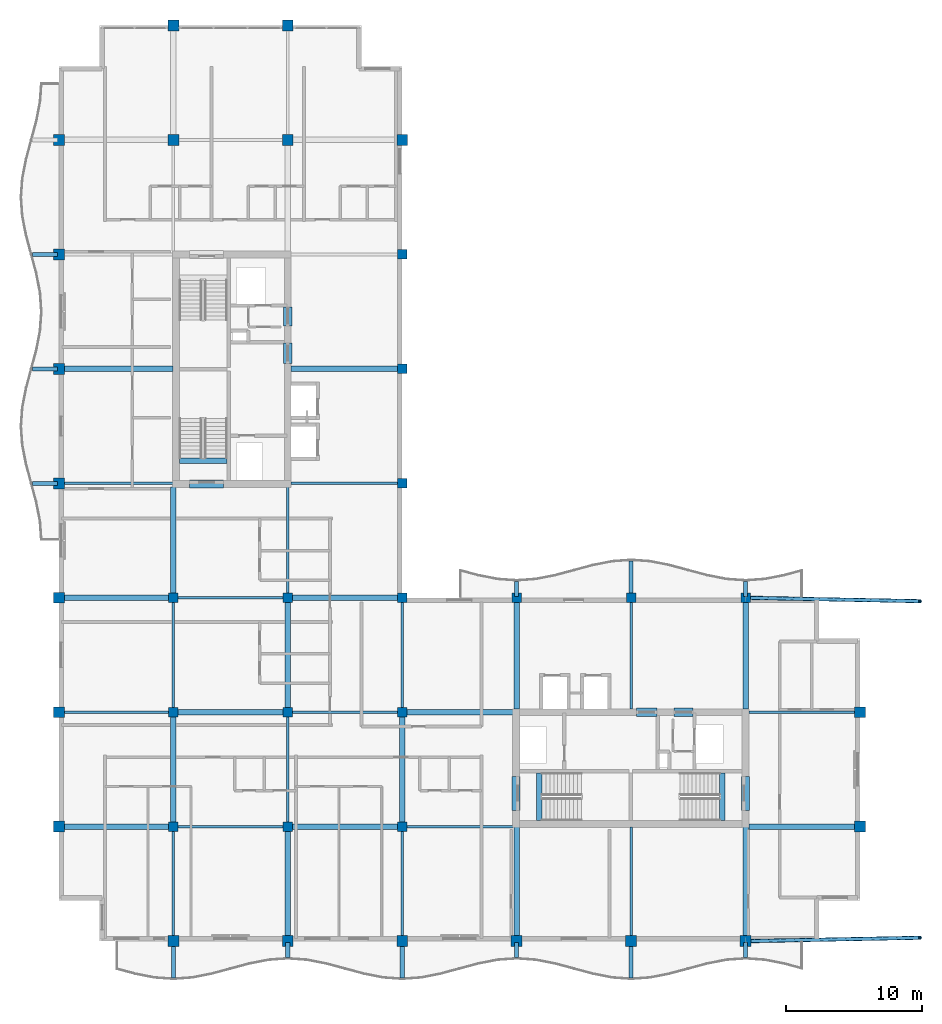
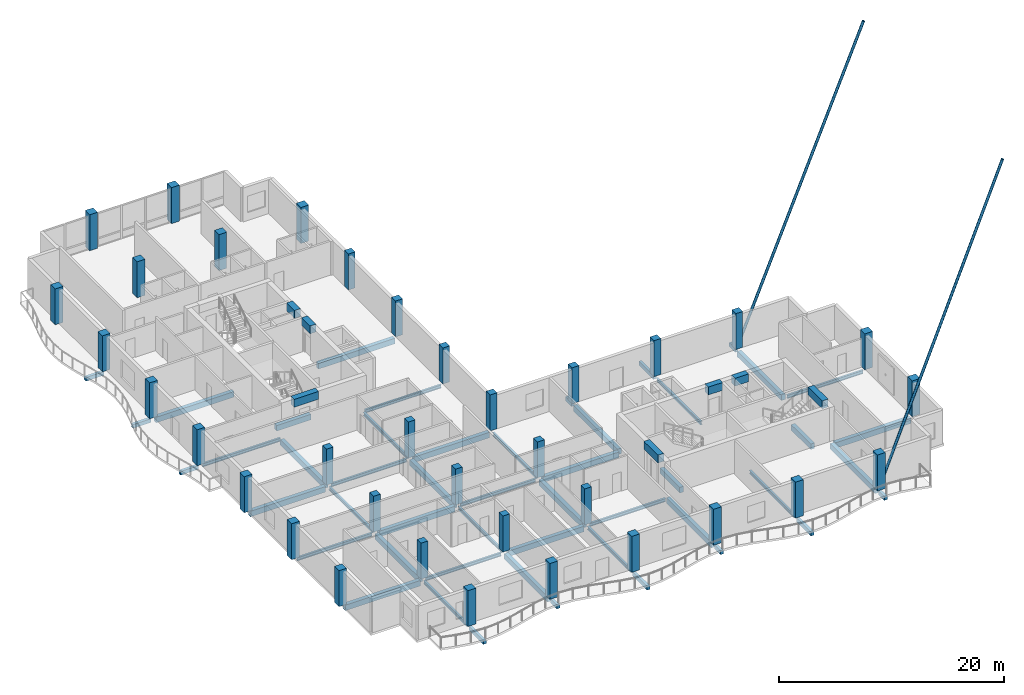
# One storey, part 1 of 17: 56 beams, 35 columns, 2 members.
"""IFC4 building model written with IfcOpenShell, lengths in metres."""

from ifc_helpers import new_model, si_unit, direction, frame, origin, origin_2d, place, context, subcontext, project, spatial, rectangle, hollow_circle, i_section, extrude, material, material_profile, profile_set, type_object, element, save


model = new_model("IFC4")

# Units and contexts
model_context = context("Model", 3, precision=1e-05, world=origin(), true_north=direction((0.0, 1.0)))
body_context = subcontext(model_context, "Body", "Model", "MODEL_VIEW")
ifc_project = project(units=[si_unit("LENGTHUNIT", "METRE"), si_unit("AREAUNIT", "SQUARE_METRE"), si_unit("VOLUMEUNIT", "CUBIC_METRE"), si_unit("PLANEANGLEUNIT", "RADIAN"), si_unit("MASSUNIT", "GRAM", prefix="KILO")], contexts=[model_context])

# Site, building, storey
site_placement = place(None, origin())
site = spatial("IfcSite", under=ifc_project, at=site_placement, CompositionType="ELEMENT")
building_placement = place(site_placement, origin())
building = spatial("IfcBuilding", under=site, at=building_placement, Name="Koriwani Terraces Tower", CompositionType="ELEMENT")
storey_placement = place(building_placement, frame((0.0, 0.0, 332.0)))
storey = spatial("IfcBuildingStorey", under=building, at=storey_placement, Name="L82", CompositionType="ELEMENT", Elevation=332.0)

# Columns
ifc_material_1 = material(Name="Concrete C50/60", Category="concrete")
ifc_material_profile_1 = material_profile(ifc_material_1, rectangle(XDim=0.699951171875, YDim=0.699951171875, at=origin_2d()), Name="Concrete C50/60", Category="LoadBearing")
ifc_profile_set_1 = profile_set([ifc_material_profile_1], Name="Concrete C50/60")
column_type_1 = type_object("IfcColumnType", Name="COL_RC_700X700", PredefinedType="COLUMN", material=ifc_profile_set_1)
for number, where, z_axis, x_axis, name in (
    (1, (16.800048828125, 16.800048828125, 0.0), (0.0, 0.0, 1.0), (1.0, 0.0, 0.0), "L82 Column 3/C"),
    (2, (16.800048828125, 25.199951171875, 0.0), (0.0, 0.0, 1.0), (1.0, 0.0, 0.0), "L82 Column 3/D"),
    (3, (16.800048828125, 33.60009765625, 0.0), (0.0, 0.0, 1.0), (1.0, 0.0, 0.0), "L82 Column 3/E"),
    (4, (25.199951171875, 16.800048828125, 0.0), (0.0, 0.0, 1.0), (1.0, 0.0, 0.0), "L82 Column 4/C"),
    (5, (25.199951171875, 25.199951171875, 0.0), (0.0, 0.0, 1.0), (1.0, 0.0, 0.0), "L82 Column 4/D"),
    (6, (25.199951171875, 33.60009765625, 0.0), (0.0, 0.0, 1.0), (1.0, 0.0, 0.0), "L82 Column 4/E"),
    (7, (33.60009765625, 16.800048828125, 0.0), (0.0, 0.0, 1.0), (1.0, 0.0, 0.0), "L82 Column 5/C"),
    (8, (33.60009765625, 25.199951171875, 0.0), (0.0, 0.0, 1.0), (1.0, 0.0, 0.0), "L82 Column 5/D"),
    (9, (33.60009765625, 33.60009765625, 0.0), (0.0, 0.0, 1.0), (1.0, 0.0, 0.0), "L82 Column 5/E"),
    (10, (33.60009765625, 42.0, 0.0), (0.0, 0.0, 1.0), (1.0, 0.0, 0.0), "L82 Column 5/F"),
    (11, (33.60009765625, 50.39990234375, 0.0), (0.0, 0.0, 1.0), (1.0, 0.0, 0.0), "L82 Column 5/G"),
    (12, (33.60009765625, 58.800048828125, 0.0), (0.0, 0.0, 1.0), (1.0, 0.0, 0.0), "L82 Column 5/H"),
    (13, (42.0, 33.60009765625, 0.0), (0.0, 0.0, 1.0), (1.0, 0.0, 0.0), "L82 Column 6/E"),
    (14, (50.39990234375, 33.60009765625, 0.0), (0.0, 0.0, 1.0), (1.0, 0.0, 0.0), "L82 Column 7/E"),
    (15, (58.800048828125, 33.60009765625, 0.0), (0.0, 0.0, 1.0), (1.0, 0.0, 0.0), "L82 Column 8/E"),
):
    element("IfcColumn", number, at=place(storey_placement, frame(where, z_axis=z_axis, x_axis=x_axis)), inside=storey, type_object=column_type_1, Name=name, PredefinedType="COLUMN", context=body_context, shape_type="SweptSolid", body=[
        extrude(rectangle(XDim=0.699951171875, YDim=0.699951171875, at=origin_2d()), origin(), (0.0, 0.0, 1.0), 3.89990234375),
    ])
ifc_material_profile_2 = material_profile(ifc_material_1, rectangle(XDim=0.800048828125, YDim=0.800048828125, at=origin_2d()), Name="Concrete C50/60", Category="LoadBearing")
ifc_profile_set_2 = profile_set([ifc_material_profile_2], Name="Concrete C50/60")
column_type_2 = type_object("IfcColumnType", Name="COL_RC_800X800", PredefinedType="COLUMN", material=ifc_profile_set_2)
for number, where, z_axis, x_axis, name in (
    (16, (8.39990234375, 16.800048828125, 0.0), (0.0, 0.0, 1.0), (1.0, 0.0, 0.0), "L82 Column 2/C"),
    (17, (8.39990234375, 25.199951171875, 0.0), (0.0, 0.0, 1.0), (1.0, 0.0, 0.0), "L82 Column 2/D"),
    (18, (8.39990234375, 33.60009765625, 0.0), (0.0, 0.0, 1.0), (1.0, 0.0, 0.0), "L82 Column 2/E"),
    (19, (8.39990234375, 42.0, 0.0), (0.0, 0.0, 1.0), (1.0, 0.0, 0.0), "L82 Column 2/F"),
    (20, (8.39990234375, 50.39990234375, 0.0), (0.0, 0.0, 1.0), (1.0, 0.0, 0.0), "L82 Column 2/G"),
    (21, (8.39990234375, 58.800048828125, 0.0), (0.0, 0.0, 1.0), (1.0, 0.0, 0.0), "L82 Column 2/H"),
    (22, (8.39990234375, 67.199951171875, 0.0), (0.0, 0.0, 1.0), (1.0, 0.0, 0.0), "L82 Column 2/I"),
    (23, (16.800048828125, 8.39990234375, 0.0), (0.0, 0.0, 1.0), (1.0, 0.0, 0.0), "L82 Column 3/B"),
    (24, (16.800048828125, 67.199951171875, 0.0), (0.0, 0.0, 1.0), (1.0, 0.0, 0.0), "L82 Column 3/I"),
    (25, (16.800048828125, 75.60009765625, 0.0), (0.0, 0.0, 1.0), (1.0, 0.0, 0.0), "L82 Column 3/J"),
    (26, (25.199951171875, 8.39990234375, 0.0), (0.0, 0.0, 1.0), (1.0, 0.0, 0.0), "L82 Column 4/B"),
    (27, (25.199951171875, 67.199951171875, 0.0), (0.0, 0.0, 1.0), (1.0, 0.0, 0.0), "L82 Column 4/I"),
    (28, (25.199951171875, 75.60009765625, 0.0), (0.0, 0.0, 1.0), (1.0, 0.0, 0.0), "L82 Column 4/J"),
    (29, (33.60009765625, 8.39990234375, 0.0), (0.0, 0.0, 1.0), (1.0, 0.0, 0.0), "L82 Column 5/B"),
    (30, (33.60009765625, 67.199951171875, 0.0), (0.0, 0.0, 1.0), (1.0, 0.0, 0.0), "L82 Column 5/I"),
    (31, (42.0, 8.39990234375, 0.0), (0.0, 0.0, 1.0), (1.0, 0.0, 0.0), "L82 Column 6/B"),
    (32, (50.39990234375, 8.39990234375, 0.0), (0.0, 0.0, 1.0), (1.0, 0.0, 0.0), "L82 Column 7/B"),
    (33, (58.800048828125, 8.39990234375, 0.0), (0.0, 0.0, 1.0), (1.0, 0.0, 0.0), "L82 Column 8/B"),
    (34, (67.199951171875, 16.800048828125, 0.0), (0.0, 0.0, 1.0), (1.0, 0.0, 0.0), "L82 Column 9/C"),
    (35, (67.199951171875, 25.199951171875, 0.0), (0.0, 0.0, 1.0), (1.0, 0.0, 0.0), "L82 Column 9/D"),
):
    element("IfcColumn", number, at=place(storey_placement, frame(where, z_axis=z_axis, x_axis=x_axis)), inside=storey, type_object=column_type_2, Name=name, PredefinedType="COLUMN", context=body_context, shape_type="SweptSolid", body=[
        extrude(rectangle(XDim=0.800048828125, YDim=0.800048828125, at=origin_2d()), origin(), (0.0, 0.0, 1.0), 3.89990234375),
    ])

# Beams
ifc_material_2 = material(Name="Concrete C40/50", Category="concrete")
ifc_material_profile_3 = material_profile(ifc_material_2, rectangle(XDim=0.300048828125, YDim=0.39990234375, at=origin_2d()), Name="Concrete C40/50", Category="LoadBearing")
ifc_profile_set_3 = profile_set([ifc_material_profile_3], Name="Concrete C40/50")
beam_type_1 = type_object("IfcBeamType", Name="BEAM_RC_BALCONY_RIB_300X400", PredefinedType="JOIST", material=ifc_profile_set_3)
beam_1_placement = place(storey_placement, frame((16.800048828125, 5.699951171875, -0.429931640625), z_axis=(0.0, 1.0, 0.0), x_axis=(-1.0, 0.0, 0.0)))
element("IfcBeam", 36, at=beam_1_placement, inside=storey, type_object=beam_type_1, Name="L82 Balcony Bracket Rib S-1", PredefinedType="JOIST", context=body_context, shape_type="SweptSolid", body=[
    extrude(rectangle(XDim=0.300048828125, YDim=0.39990234375, at=origin_2d()), origin(), (0.0, 0.0, 1.0), 2.60009765625),
])
beam_2_placement = place(storey_placement, frame((25.199951171875, 7.199951171875, -0.429931640625), z_axis=(0.0, 1.0, 0.0), x_axis=(-1.0, 0.0, 0.0)))
element("IfcBeam", 37, at=beam_2_placement, inside=storey, type_object=beam_type_1, Name="L82 Balcony Bracket Rib S-2", PredefinedType="JOIST", context=body_context, shape_type="SweptSolid", body=[
    extrude(rectangle(XDim=0.300048828125, YDim=0.39990234375, at=origin_2d()), origin(), (0.0, 0.0, 1.0), 1.10009765625),
])
beam_3_placement = place(storey_placement, frame((33.60009765625, 5.699951171875, -0.429931640625), z_axis=(0.0, 1.0, 0.0), x_axis=(-1.0, 0.0, 0.0)))
element("IfcBeam", 38, at=beam_3_placement, inside=storey, type_object=beam_type_1, Name="L82 Balcony Bracket Rib S-3", PredefinedType="JOIST", context=body_context, shape_type="SweptSolid", body=[
    extrude(rectangle(XDim=0.300048828125, YDim=0.39990234375, at=origin_2d()), origin(), (0.0, 0.0, 1.0), 2.60009765625),
])
beam_4_placement = place(storey_placement, frame((42.0, 7.199951171875, -0.429931640625), z_axis=(0.0, 1.0, 0.0), x_axis=(-1.0, 0.0, 0.0)))
element("IfcBeam", 39, at=beam_4_placement, inside=storey, type_object=beam_type_1, Name="L82 Balcony Bracket Rib S-4", PredefinedType="JOIST", context=body_context, shape_type="SweptSolid", body=[
    extrude(rectangle(XDim=0.300048828125, YDim=0.39990234375, at=origin_2d()), origin(), (0.0, 0.0, 1.0), 1.10009765625),
])
beam_5_placement = place(storey_placement, frame((50.39990234375, 5.699951171875, -0.429931640625), z_axis=(0.0, 1.0, 0.0), x_axis=(-1.0, 0.0, 0.0)))
element("IfcBeam", 40, at=beam_5_placement, inside=storey, type_object=beam_type_1, Name="L82 Balcony Bracket Rib S-5", PredefinedType="JOIST", context=body_context, shape_type="SweptSolid", body=[
    extrude(rectangle(XDim=0.300048828125, YDim=0.39990234375, at=origin_2d()), origin(), (0.0, 0.0, 1.0), 2.60009765625),
])
beam_6_placement = place(storey_placement, frame((58.800048828125, 7.199951171875, -0.429931640625), z_axis=(0.0, 1.0, 0.0), x_axis=(-1.0, 0.0, 0.0)))
element("IfcBeam", 41, at=beam_6_placement, inside=storey, type_object=beam_type_1, Name="L82 Balcony Bracket Rib S-6", PredefinedType="JOIST", context=body_context, shape_type="SweptSolid", body=[
    extrude(rectangle(XDim=0.300048828125, YDim=0.39990234375, at=origin_2d()), origin(), (0.0, 0.0, 1.0), 1.10009765625),
])
for number, where, z_axis, x_axis, name in (
    (42, (6.449951171875, 42.0, -0.429931640625), (1.0, 0.0, 0.0), (0.0, 1.0, 0.0), "L82 Balcony Bracket Rib W-1"),
    (43, (6.449951171875, 50.39990234375, -0.429931640625), (1.0, 0.0, 0.0), (0.0, 1.0, 0.0), "L82 Balcony Bracket Rib W-2"),
    (44, (6.449951171875, 58.800048828125, -0.429931640625), (1.0, 0.0, 0.0), (0.0, 1.0, 0.0), "L82 Balcony Bracket Rib W-3"),
):
    element("IfcBeam", number, at=place(storey_placement, frame(where, z_axis=z_axis, x_axis=x_axis)), inside=storey, type_object=beam_type_1, Name=name, PredefinedType="JOIST", context=body_context, shape_type="SweptSolid", body=[
        extrude(rectangle(XDim=0.300048828125, YDim=0.39990234375, at=origin_2d()), origin(), (0.0, 0.0, 1.0), 1.85009765625),
    ])
beam_7_placement = place(storey_placement, frame((42.0, 33.699951171875, -0.429931640625), z_axis=(0.0, 1.0, 0.0), x_axis=(-1.0, 0.0, 0.0)))
element("IfcBeam", 45, at=beam_7_placement, inside=storey, type_object=beam_type_1, Name="L82 Balcony Bracket Rib NE-1", PredefinedType="JOIST", context=body_context, shape_type="SweptSolid", body=[
    extrude(rectangle(XDim=0.300048828125, YDim=0.39990234375, at=origin_2d()), origin(), (0.0, 0.0, 1.0), 1.10009765625),
])
beam_8_placement = place(storey_placement, frame((50.39990234375, 33.699951171875, -0.429931640625), z_axis=(0.0, 1.0, 0.0), x_axis=(-1.0, 0.0, 0.0)))
element("IfcBeam", 46, at=beam_8_placement, inside=storey, type_object=beam_type_1, Name="L82 Balcony Bracket Rib NE-2", PredefinedType="JOIST", context=body_context, shape_type="SweptSolid", body=[
    extrude(rectangle(XDim=0.300048828125, YDim=0.39990234375, at=origin_2d()), origin(), (0.0, 0.0, 1.0), 2.60009765625),
])
beam_9_placement = place(storey_placement, frame((58.800048828125, 33.699951171875, -0.429931640625), z_axis=(0.0, 1.0, 0.0), x_axis=(-1.0, 0.0, 0.0)))
element("IfcBeam", 47, at=beam_9_placement, inside=storey, type_object=beam_type_1, Name="L82 Balcony Bracket Rib NE-3", PredefinedType="JOIST", context=body_context, shape_type="SweptSolid", body=[
    extrude(rectangle(XDim=0.300048828125, YDim=0.39990234375, at=origin_2d()), origin(), (0.0, 0.0, 1.0), 1.10009765625),
])
ifc_material_profile_4 = material_profile(ifc_material_1, rectangle(XDim=0.60009765625, YDim=0.85009765625, at=origin_2d()), Name="Concrete C50/60", Category="LoadBearing")
ifc_profile_set_4 = profile_set([ifc_material_profile_4], Name="Concrete C50/60")
beam_type_2 = type_object("IfcBeamType", Name="BEAM_RC_COUPLING_600X850", PredefinedType="LINTEL", material=ifc_profile_set_4)
beam_10_placement = place(storey_placement, frame((25.199951171875, 50.800048828125, 3.2451171875), z_axis=(0.0, 1.0, 0.0), x_axis=(-1.0, 0.0, 0.0)))
element("IfcBeam", 48, at=beam_10_placement, inside=storey, type_object=beam_type_2, Name="L82 Core Coupling Lintel Beam WE1", PredefinedType="LINTEL", context=body_context, shape_type="SweptSolid", body=[
    extrude(rectangle(XDim=0.60009765625, YDim=0.85009765625, at=origin_2d()), origin(), (0.0, 0.0, 1.0), 1.47998046875),
])
beam_11_placement = place(storey_placement, frame((25.199951171875, 53.550048828125, 3.2451171875), z_axis=(0.0, 1.0, 0.0), x_axis=(-1.0, 0.0, 0.0)))
element("IfcBeam", 49, at=beam_11_placement, inside=storey, type_object=beam_type_2, Name="L82 Core Coupling Lintel Beam WE2", PredefinedType="LINTEL", context=body_context, shape_type="SweptSolid", body=[
    extrude(rectangle(XDim=0.60009765625, YDim=0.85009765625, at=origin_2d()), origin(), (0.0, 0.0, 1.0), 1.39990234375),
])
beam_12_placement = place(storey_placement, frame((18.0, 41.949951171875, 3.2451171875), z_axis=(1.0, 0.0, 0.0), x_axis=(0.0, 1.0, 0.0)))
element("IfcBeam", 50, at=beam_12_placement, inside=storey, type_object=beam_type_2, Name="L82 Core Coupling Lintel Beam WS", PredefinedType="LINTEL", context=body_context, shape_type="SweptSolid", body=[
    extrude(rectangle(XDim=0.60009765625, YDim=0.85009765625, at=origin_2d()), origin(), (0.0, 0.0, 1.0), 2.5),
])
beam_13_placement = place(storey_placement, frame((50.800048828125, 25.199951171875, 3.2451171875), z_axis=(1.0, 0.0, 0.0), x_axis=(0.0, 1.0, 0.0)))
element("IfcBeam", 51, at=beam_13_placement, inside=storey, type_object=beam_type_2, Name="L82 Core Coupling Lintel Beam EN1", PredefinedType="LINTEL", context=body_context, shape_type="SweptSolid", body=[
    extrude(rectangle(XDim=0.60009765625, YDim=0.85009765625, at=origin_2d()), origin(), (0.0, 0.0, 1.0), 1.47998046875),
])
beam_14_placement = place(storey_placement, frame((53.550048828125, 25.199951171875, 3.2451171875), z_axis=(1.0, 0.0, 0.0), x_axis=(0.0, 1.0, 0.0)))
element("IfcBeam", 52, at=beam_14_placement, inside=storey, type_object=beam_type_2, Name="L82 Core Coupling Lintel Beam EN2", PredefinedType="LINTEL", context=body_context, shape_type="SweptSolid", body=[
    extrude(rectangle(XDim=0.60009765625, YDim=0.85009765625, at=origin_2d()), origin(), (0.0, 0.0, 1.0), 1.39990234375),
])
for number, where, z_axis, x_axis, name in (
    (53, (41.949951171875, 18.0, 3.2451171875), (0.0, 1.0, 0.0), (-1.0, 0.0, 0.0), "L82 Core Coupling Lintel Beam EW"),
    (54, (58.800048828125, 18.0, 3.2451171875), (0.0, 1.0, 0.0), (-1.0, 0.0, 0.0), "L82 Core Coupling Lintel Beam EE"),
):
    element("IfcBeam", number, at=place(storey_placement, frame(where, z_axis=z_axis, x_axis=x_axis)), inside=storey, type_object=beam_type_2, Name=name, PredefinedType="LINTEL", context=body_context, shape_type="SweptSolid", body=[
        extrude(rectangle(XDim=0.60009765625, YDim=0.85009765625, at=origin_2d()), origin(), (0.0, 0.0, 1.0), 2.5),
    ])
ifc_material_profile_5 = material_profile(ifc_material_2, rectangle(XDim=0.39990234375, YDim=0.60009765625, at=origin_2d()), Name="Concrete C40/50", Category="LoadBearing")
ifc_profile_set_5 = profile_set([ifc_material_profile_5], Name="Concrete C40/50")
beam_type_3 = type_object("IfcBeamType", Name="BEAM_RC_GRID_400X600", PredefinedType="BEAM", material=ifc_profile_set_5)
for number, where, z_axis, x_axis, name in (
    (55, (17.25, 43.655029296875, -0.300048828125), (1.0, 0.0, 0.0), (0.0, 1.0, 0.0), "L82 Stairwell Header Trimmer Beam ST-W1"),
    (56, (43.655029296875, 17.25, -0.300048828125), (0.0, 1.0, 0.0), (-1.0, 0.0, 0.0), "L82 Stairwell Header Trimmer Beam ST-E1"),
    (57, (57.094970703125, 17.25, -0.300048828125), (0.0, 1.0, 0.0), (-1.0, 0.0, 0.0), "L82 Stairwell Header Trimmer Beam ST-E2"),
):
    element("IfcBeam", number, at=place(storey_placement, frame(where, z_axis=z_axis, x_axis=x_axis)), inside=storey, type_object=beam_type_3, Name=name, PredefinedType="BEAM", context=body_context, shape_type="SweptSolid", body=[
        extrude(rectangle(XDim=0.39990234375, YDim=0.60009765625, at=origin_2d()), origin(), (0.0, 0.0, 1.0), 3.5),
    ])
beam_15_placement = place(storey_placement, frame((8.780029296875, 16.800048828125, -0.530029296875), z_axis=(1.0, 0.0, 0.0), x_axis=(0.0, 1.0, 0.0)))
element("IfcBeam", 58, at=beam_15_placement, inside=storey, type_object=beam_type_3, Name="L82 Grid Beam C (8.4-16.8m)", PredefinedType="BEAM", context=body_context, shape_type="SweptSolid", body=[
    extrude(rectangle(XDim=0.39990234375, YDim=0.60009765625, at=origin_2d()), origin(), (0.0, 0.0, 1.0), 7.68994140625),
])
beam_16_placement = place(storey_placement, frame((25.530029296875, 16.800048828125, -0.530029296875), z_axis=(1.0, 0.0, 0.0), x_axis=(0.0, 1.0, 0.0)))
element("IfcBeam", 59, at=beam_16_placement, inside=storey, type_object=beam_type_3, Name="L82 Grid Beam C (25.2-33.6m)", PredefinedType="BEAM", context=body_context, shape_type="SweptSolid", body=[
    extrude(rectangle(XDim=0.39990234375, YDim=0.60009765625, at=origin_2d()), origin(), (0.0, 0.0, 1.0), 7.739990234375),
])
beam_17_placement = place(storey_placement, frame((59.030029296875, 16.800048828125, -0.530029296875), z_axis=(1.0, 0.0, 0.0), x_axis=(0.0, 1.0, 0.0)))
element("IfcBeam", 60, at=beam_17_placement, inside=storey, type_object=beam_type_3, Name="L82 Grid Beam C (58.8-67.2m)", PredefinedType="BEAM", context=body_context, shape_type="SweptSolid", body=[
    extrude(rectangle(XDim=0.39990234375, YDim=0.60009765625, at=origin_2d()), origin(), (0.0, 0.0, 1.0), 7.7900390625),
])
beam_18_placement = place(storey_placement, frame((17.1298828125, 25.199951171875, -0.530029296875), z_axis=(1.0, 0.0, 0.0), x_axis=(0.0, 1.0, 0.0)))
element("IfcBeam", 61, at=beam_18_placement, inside=storey, type_object=beam_type_3, Name="L82 Grid Beam D (16.8-25.2m)", PredefinedType="BEAM", context=body_context, shape_type="SweptSolid", body=[
    extrude(rectangle(XDim=0.39990234375, YDim=0.60009765625, at=origin_2d()), origin(), (0.0, 0.0, 1.0), 7.740234375),
])
beam_19_placement = place(storey_placement, frame((33.929931640625, 25.199951171875, -0.530029296875), z_axis=(1.0, 0.0, 0.0), x_axis=(0.0, 1.0, 0.0)))
element("IfcBeam", 62, at=beam_19_placement, inside=storey, type_object=beam_type_3, Name="L82 Grid Beam D (33.6-42.0m)", PredefinedType="BEAM", context=body_context, shape_type="SweptSolid", body=[
    extrude(rectangle(XDim=0.39990234375, YDim=0.60009765625, at=origin_2d()), origin(), (0.0, 0.0, 1.0), 7.7900390625),
])
beam_20_placement = place(storey_placement, frame((8.780029296875, 33.60009765625, -0.530029296875), z_axis=(1.0, 0.0, 0.0), x_axis=(0.0, 1.0, 0.0)))
element("IfcBeam", 63, at=beam_20_placement, inside=storey, type_object=beam_type_3, Name="L82 Grid Beam E (8.4-16.8m)", PredefinedType="BEAM", context=body_context, shape_type="SweptSolid", body=[
    extrude(rectangle(XDim=0.39990234375, YDim=0.60009765625, at=origin_2d()), origin(), (0.0, 0.0, 1.0), 7.68994140625),
])
beam_21_placement = place(storey_placement, frame((25.530029296875, 33.60009765625, -0.530029296875), z_axis=(1.0, 0.0, 0.0), x_axis=(0.0, 1.0, 0.0)))
element("IfcBeam", 64, at=beam_21_placement, inside=storey, type_object=beam_type_3, Name="L82 Grid Beam E (25.2-33.6m)", PredefinedType="BEAM", context=body_context, shape_type="SweptSolid", body=[
    extrude(rectangle(XDim=0.39990234375, YDim=0.60009765625, at=origin_2d()), origin(), (0.0, 0.0, 1.0), 7.739990234375),
])
beam_22_placement = place(storey_placement, frame((8.780029296875, 50.39990234375, -0.530029296875), z_axis=(1.0, 0.0, 0.0), x_axis=(0.0, 1.0, 0.0)))
element("IfcBeam", 65, at=beam_22_placement, inside=storey, type_object=beam_type_3, Name="L82 Grid Beam G (8.4-16.8m)", PredefinedType="BEAM", context=body_context, shape_type="SweptSolid", body=[
    extrude(rectangle(XDim=0.39990234375, YDim=0.60009765625, at=origin_2d()), origin(), (0.0, 0.0, 1.0), 7.989990234375),
])
beam_23_placement = place(storey_placement, frame((25.429931640625, 50.39990234375, -0.530029296875), z_axis=(1.0, 0.0, 0.0), x_axis=(0.0, 1.0, 0.0)))
element("IfcBeam", 66, at=beam_23_placement, inside=storey, type_object=beam_type_3, Name="L82 Grid Beam G (25.2-33.6m)", PredefinedType="BEAM", context=body_context, shape_type="SweptSolid", body=[
    extrude(rectangle(XDim=0.39990234375, YDim=0.60009765625, at=origin_2d()), origin(), (0.0, 0.0, 1.0), 7.840087890625),
])
beam_24_placement = place(storey_placement, frame((16.800048828125, 17.1298828125, -0.530029296875), z_axis=(0.0, 1.0, 0.0), x_axis=(-1.0, 0.0, 0.0)))
element("IfcBeam", 67, at=beam_24_placement, inside=storey, type_object=beam_type_3, Name="L82 Grid Beam 3 (16.8-25.2m)", PredefinedType="BEAM", context=body_context, shape_type="SweptSolid", body=[
    extrude(rectangle(XDim=0.39990234375, YDim=0.60009765625, at=origin_2d()), origin(), (0.0, 0.0, 1.0), 7.740234375),
])
beam_25_placement = place(storey_placement, frame((16.800048828125, 33.929931640625, -0.530029296875), z_axis=(0.0, 1.0, 0.0), x_axis=(-1.0, 0.0, 0.0)))
element("IfcBeam", 68, at=beam_25_placement, inside=storey, type_object=beam_type_3, Name="L82 Grid Beam 3 (33.6-42.0m)", PredefinedType="BEAM", context=body_context, shape_type="SweptSolid", body=[
    extrude(rectangle(XDim=0.39990234375, YDim=0.60009765625, at=origin_2d()), origin(), (0.0, 0.0, 1.0), 7.7900390625),
])
beam_26_placement = place(storey_placement, frame((25.199951171875, 8.780029296875, -0.530029296875), z_axis=(0.0, 1.0, 0.0), x_axis=(-1.0, 0.0, 0.0)))
element("IfcBeam", 69, at=beam_26_placement, inside=storey, type_object=beam_type_3, Name="L82 Grid Beam 4 (8.4-16.8m)", PredefinedType="BEAM", context=body_context, shape_type="SweptSolid", body=[
    extrude(rectangle(XDim=0.39990234375, YDim=0.60009765625, at=origin_2d()), origin(), (0.0, 0.0, 1.0), 7.68994140625),
])
beam_27_placement = place(storey_placement, frame((25.199951171875, 25.530029296875, -0.530029296875), z_axis=(0.0, 1.0, 0.0), x_axis=(-1.0, 0.0, 0.0)))
element("IfcBeam", 70, at=beam_27_placement, inside=storey, type_object=beam_type_3, Name="L82 Grid Beam 4 (25.2-33.6m)", PredefinedType="BEAM", context=body_context, shape_type="SweptSolid", body=[
    extrude(rectangle(XDim=0.39990234375, YDim=0.60009765625, at=origin_2d()), origin(), (0.0, 0.0, 1.0), 7.739990234375),
])
beam_28_placement = place(storey_placement, frame((33.60009765625, 17.1298828125, -0.530029296875), z_axis=(0.0, 1.0, 0.0), x_axis=(-1.0, 0.0, 0.0)))
element("IfcBeam", 71, at=beam_28_placement, inside=storey, type_object=beam_type_3, Name="L82 Grid Beam 5 (16.8-25.2m)", PredefinedType="BEAM", context=body_context, shape_type="SweptSolid", body=[
    extrude(rectangle(XDim=0.39990234375, YDim=0.60009765625, at=origin_2d()), origin(), (0.0, 0.0, 1.0), 7.740234375),
])
beam_29_placement = place(storey_placement, frame((42.0, 8.780029296875, -0.530029296875), z_axis=(0.0, 1.0, 0.0), x_axis=(-1.0, 0.0, 0.0)))
element("IfcBeam", 72, at=beam_29_placement, inside=storey, type_object=beam_type_3, Name="L82 Grid Beam 6 (8.4-16.8m)", PredefinedType="BEAM", context=body_context, shape_type="SweptSolid", body=[
    extrude(rectangle(XDim=0.39990234375, YDim=0.60009765625, at=origin_2d()), origin(), (0.0, 0.0, 1.0), 7.989990234375),
])
beam_30_placement = place(storey_placement, frame((42.0, 25.429931640625, -0.530029296875), z_axis=(0.0, 1.0, 0.0), x_axis=(-1.0, 0.0, 0.0)))
element("IfcBeam", 73, at=beam_30_placement, inside=storey, type_object=beam_type_3, Name="L82 Grid Beam 6 (25.2-33.6m)", PredefinedType="BEAM", context=body_context, shape_type="SweptSolid", body=[
    extrude(rectangle(XDim=0.39990234375, YDim=0.60009765625, at=origin_2d()), origin(), (0.0, 0.0, 1.0), 7.840087890625),
])
beam_31_placement = place(storey_placement, frame((58.800048828125, 8.780029296875, -0.530029296875), z_axis=(0.0, 1.0, 0.0), x_axis=(-1.0, 0.0, 0.0)))
element("IfcBeam", 74, at=beam_31_placement, inside=storey, type_object=beam_type_3, Name="L82 Grid Beam 8 (8.4-16.8m)", PredefinedType="BEAM", context=body_context, shape_type="SweptSolid", body=[
    extrude(rectangle(XDim=0.39990234375, YDim=0.60009765625, at=origin_2d()), origin(), (0.0, 0.0, 1.0), 7.989990234375),
])
beam_32_placement = place(storey_placement, frame((58.800048828125, 25.429931640625, -0.530029296875), z_axis=(0.0, 1.0, 0.0), x_axis=(-1.0, 0.0, 0.0)))
element("IfcBeam", 75, at=beam_32_placement, inside=storey, type_object=beam_type_3, Name="L82 Grid Beam 8 (25.2-33.6m)", PredefinedType="BEAM", context=body_context, shape_type="SweptSolid", body=[
    extrude(rectangle(XDim=0.39990234375, YDim=0.60009765625, at=origin_2d()), origin(), (0.0, 0.0, 1.0), 7.840087890625),
])

# Members
ifc_material_3 = material(Name="Steel ASTM A572 Grade 50", Category="steel")
ifc_material_profile_6 = material_profile(ifc_material_3, hollow_circle(Radius=0.136474609375, WallThickness=0.010009765625, at=origin_2d()), Name="Steel ASTM A572 Grade 50", Category="LoadBearing")
ifc_profile_set_6 = profile_set([ifc_material_profile_6], Name="Steel ASTM A572 Grade 50")
member_type = type_object("IfcMemberType", Name="CROWN_FRAME_BRACE_CHS273X10", PredefinedType="USERDEFINED", material=ifc_profile_set_6)
for number, where, z_axis, x_axis, name in (
    (76, (58.800048828125, 8.39990234375, 0.0), (0.381640049995, 0.007453878792, 0.924280970231), (-0.019527451312, 0.999809321143, 0.0), "Sky-Lounge Exterior Raking Mega-Strut RK-03"),
    (77, (58.800048828125, 33.60009765625, 0.0), (0.381640049995, -0.007453878792, 0.924280970231), (0.019527451312, 0.999809321143, 0.0), "Sky-Lounge Exterior Raking Mega-Strut RK-04"),
):
    element("IfcMember", number, at=place(storey_placement, frame(where, z_axis=z_axis, x_axis=x_axis)), inside=storey, type_object=member_type, Name=name, ObjectType="CROWN FRAME", PredefinedType="USERDEFINED", context=body_context, shape_type="SweptSolid", body=[
        extrude(hollow_circle(Radius=0.136474609375, WallThickness=0.010009765625, at=origin_2d()), origin(), (0.0, 0.0, 1.0), 33.53955078125),
    ])

# Beams
ifc_material_profile_7 = material_profile(ifc_material_3, i_section(OverallWidth=0.205078125, OverallDepth=0.35400390625, WebThickness=0.009521484375, FlangeThickness=0.016845703125, at=origin_2d()), Name="Steel ASTM A572 Grade 50", Category="LoadBearing")
ifc_profile_set_7 = profile_set([ifc_material_profile_7], Name="Steel ASTM A572 Grade 50")
beam_type_4 = type_object("IfcBeamType", Name="STEEL_BEAM_W360X79", PredefinedType="JOIST", material=ifc_profile_set_7)
beam_33_placement = place(storey_placement, frame((17.1298828125, 16.800048828125, -0.406982421875), z_axis=(1.0, 0.0, 0.0), x_axis=(0.0, 1.0, 0.0)))
element("IfcBeam", 78, at=beam_33_placement, inside=storey, type_object=beam_type_4, Name="L82 Grid Beam C (16.8-25.2m)", PredefinedType="JOIST", context=body_context, shape_type="SweptSolid", body=[
    extrude(i_section(OverallWidth=0.205078125, OverallDepth=0.35400390625, WebThickness=0.009521484375, FlangeThickness=0.016845703125, at=origin_2d()), origin(), (0.0, 0.0, 1.0), 7.740234375),
])
beam_34_placement = place(storey_placement, frame((33.929931640625, 16.800048828125, -0.406982421875), z_axis=(1.0, 0.0, 0.0), x_axis=(0.0, 1.0, 0.0)))
element("IfcBeam", 79, at=beam_34_placement, inside=storey, type_object=beam_type_4, Name="L82 Grid Beam C (33.6-42.0m)", PredefinedType="JOIST", context=body_context, shape_type="SweptSolid", body=[
    extrude(i_section(OverallWidth=0.205078125, OverallDepth=0.35400390625, WebThickness=0.009521484375, FlangeThickness=0.016845703125, at=origin_2d()), origin(), (0.0, 0.0, 1.0), 7.7900390625),
])
beam_35_placement = place(storey_placement, frame((8.780029296875, 25.199951171875, -0.406982421875), z_axis=(1.0, 0.0, 0.0), x_axis=(0.0, 1.0, 0.0)))
element("IfcBeam", 80, at=beam_35_placement, inside=storey, type_object=beam_type_4, Name="L82 Grid Beam D (8.4-16.8m)", PredefinedType="JOIST", context=body_context, shape_type="SweptSolid", body=[
    extrude(i_section(OverallWidth=0.205078125, OverallDepth=0.35400390625, WebThickness=0.009521484375, FlangeThickness=0.016845703125, at=origin_2d()), origin(), (0.0, 0.0, 1.0), 7.68994140625),
])
beam_36_placement = place(storey_placement, frame((25.530029296875, 25.199951171875, -0.406982421875), z_axis=(1.0, 0.0, 0.0), x_axis=(0.0, 1.0, 0.0)))
element("IfcBeam", 81, at=beam_36_placement, inside=storey, type_object=beam_type_4, Name="L82 Grid Beam D (25.2-33.6m)", PredefinedType="JOIST", context=body_context, shape_type="SweptSolid", body=[
    extrude(i_section(OverallWidth=0.205078125, OverallDepth=0.35400390625, WebThickness=0.009521484375, FlangeThickness=0.016845703125, at=origin_2d()), origin(), (0.0, 0.0, 1.0), 7.739990234375),
])
beam_37_placement = place(storey_placement, frame((59.030029296875, 25.199951171875, -0.406982421875), z_axis=(1.0, 0.0, 0.0), x_axis=(0.0, 1.0, 0.0)))
element("IfcBeam", 82, at=beam_37_placement, inside=storey, type_object=beam_type_4, Name="L82 Grid Beam D (58.8-67.2m)", PredefinedType="JOIST", context=body_context, shape_type="SweptSolid", body=[
    extrude(i_section(OverallWidth=0.205078125, OverallDepth=0.35400390625, WebThickness=0.009521484375, FlangeThickness=0.016845703125, at=origin_2d()), origin(), (0.0, 0.0, 1.0), 7.7900390625),
])
beam_38_placement = place(storey_placement, frame((17.1298828125, 33.60009765625, -0.406982421875), z_axis=(1.0, 0.0, 0.0), x_axis=(0.0, 1.0, 0.0)))
element("IfcBeam", 83, at=beam_38_placement, inside=storey, type_object=beam_type_4, Name="L82 Grid Beam E (16.8-25.2m)", PredefinedType="JOIST", context=body_context, shape_type="SweptSolid", body=[
    extrude(i_section(OverallWidth=0.205078125, OverallDepth=0.35400390625, WebThickness=0.009521484375, FlangeThickness=0.016845703125, at=origin_2d()), origin(), (0.0, 0.0, 1.0), 7.740234375),
])
beam_39_placement = place(storey_placement, frame((8.780029296875, 42.0, -0.406982421875), z_axis=(1.0, 0.0, 0.0), x_axis=(0.0, 1.0, 0.0)))
element("IfcBeam", 84, at=beam_39_placement, inside=storey, type_object=beam_type_4, Name="L82 Grid Beam F (8.4-16.8m)", PredefinedType="JOIST", context=body_context, shape_type="SweptSolid", body=[
    extrude(i_section(OverallWidth=0.205078125, OverallDepth=0.35400390625, WebThickness=0.009521484375, FlangeThickness=0.016845703125, at=origin_2d()), origin(), (0.0, 0.0, 1.0), 7.989990234375),
])
beam_40_placement = place(storey_placement, frame((25.429931640625, 42.0, -0.406982421875), z_axis=(1.0, 0.0, 0.0), x_axis=(0.0, 1.0, 0.0)))
element("IfcBeam", 85, at=beam_40_placement, inside=storey, type_object=beam_type_4, Name="L82 Grid Beam F (25.2-33.6m)", PredefinedType="JOIST", context=body_context, shape_type="SweptSolid", body=[
    extrude(i_section(OverallWidth=0.205078125, OverallDepth=0.35400390625, WebThickness=0.009521484375, FlangeThickness=0.016845703125, at=origin_2d()), origin(), (0.0, 0.0, 1.0), 7.840087890625),
])
beam_41_placement = place(storey_placement, frame((16.800048828125, 8.780029296875, -0.406982421875), z_axis=(0.0, 1.0, 0.0), x_axis=(-1.0, 0.0, 0.0)))
element("IfcBeam", 86, at=beam_41_placement, inside=storey, type_object=beam_type_4, Name="L82 Grid Beam 3 (8.4-16.8m)", PredefinedType="JOIST", context=body_context, shape_type="SweptSolid", body=[
    extrude(i_section(OverallWidth=0.205078125, OverallDepth=0.35400390625, WebThickness=0.009521484375, FlangeThickness=0.016845703125, at=origin_2d()), origin(), (0.0, 0.0, 1.0), 7.68994140625),
])
beam_42_placement = place(storey_placement, frame((16.800048828125, 25.530029296875, -0.406982421875), z_axis=(0.0, 1.0, 0.0), x_axis=(-1.0, 0.0, 0.0)))
element("IfcBeam", 87, at=beam_42_placement, inside=storey, type_object=beam_type_4, Name="L82 Grid Beam 3 (25.2-33.6m)", PredefinedType="JOIST", context=body_context, shape_type="SweptSolid", body=[
    extrude(i_section(OverallWidth=0.205078125, OverallDepth=0.35400390625, WebThickness=0.009521484375, FlangeThickness=0.016845703125, at=origin_2d()), origin(), (0.0, 0.0, 1.0), 7.739990234375),
])
beam_43_placement = place(storey_placement, frame((25.199951171875, 17.1298828125, -0.406982421875), z_axis=(0.0, 1.0, 0.0), x_axis=(-1.0, 0.0, 0.0)))
element("IfcBeam", 88, at=beam_43_placement, inside=storey, type_object=beam_type_4, Name="L82 Grid Beam 4 (16.8-25.2m)", PredefinedType="JOIST", context=body_context, shape_type="SweptSolid", body=[
    extrude(i_section(OverallWidth=0.205078125, OverallDepth=0.35400390625, WebThickness=0.009521484375, FlangeThickness=0.016845703125, at=origin_2d()), origin(), (0.0, 0.0, 1.0), 7.740234375),
])
beam_44_placement = place(storey_placement, frame((25.199951171875, 33.929931640625, -0.406982421875), z_axis=(0.0, 1.0, 0.0), x_axis=(-1.0, 0.0, 0.0)))
element("IfcBeam", 89, at=beam_44_placement, inside=storey, type_object=beam_type_4, Name="L82 Grid Beam 4 (33.6-42.0m)", PredefinedType="JOIST", context=body_context, shape_type="SweptSolid", body=[
    extrude(i_section(OverallWidth=0.205078125, OverallDepth=0.35400390625, WebThickness=0.009521484375, FlangeThickness=0.016845703125, at=origin_2d()), origin(), (0.0, 0.0, 1.0), 7.7900390625),
])
beam_45_placement = place(storey_placement, frame((33.60009765625, 8.780029296875, -0.406982421875), z_axis=(0.0, 1.0, 0.0), x_axis=(-1.0, 0.0, 0.0)))
element("IfcBeam", 90, at=beam_45_placement, inside=storey, type_object=beam_type_4, Name="L82 Grid Beam 5 (8.4-16.8m)", PredefinedType="JOIST", context=body_context, shape_type="SweptSolid", body=[
    extrude(i_section(OverallWidth=0.205078125, OverallDepth=0.35400390625, WebThickness=0.009521484375, FlangeThickness=0.016845703125, at=origin_2d()), origin(), (0.0, 0.0, 1.0), 7.68994140625),
])
beam_46_placement = place(storey_placement, frame((33.60009765625, 25.530029296875, -0.406982421875), z_axis=(0.0, 1.0, 0.0), x_axis=(-1.0, 0.0, 0.0)))
element("IfcBeam", 91, at=beam_46_placement, inside=storey, type_object=beam_type_4, Name="L82 Grid Beam 5 (25.2-33.6m)", PredefinedType="JOIST", context=body_context, shape_type="SweptSolid", body=[
    extrude(i_section(OverallWidth=0.205078125, OverallDepth=0.35400390625, WebThickness=0.009521484375, FlangeThickness=0.016845703125, at=origin_2d()), origin(), (0.0, 0.0, 1.0), 7.739990234375),
])
beam_47_placement = place(storey_placement, frame((50.39990234375, 8.780029296875, -0.406982421875), z_axis=(0.0, 1.0, 0.0), x_axis=(-1.0, 0.0, 0.0)))
element("IfcBeam", 92, at=beam_47_placement, inside=storey, type_object=beam_type_4, Name="L82 Grid Beam 7 (8.4-16.8m)", PredefinedType="JOIST", context=body_context, shape_type="SweptSolid", body=[
    extrude(i_section(OverallWidth=0.205078125, OverallDepth=0.35400390625, WebThickness=0.009521484375, FlangeThickness=0.016845703125, at=origin_2d()), origin(), (0.0, 0.0, 1.0), 7.989990234375),
])
beam_48_placement = place(storey_placement, frame((50.39990234375, 25.429931640625, -0.406982421875), z_axis=(0.0, 1.0, 0.0), x_axis=(-1.0, 0.0, 0.0)))
element("IfcBeam", 93, at=beam_48_placement, inside=storey, type_object=beam_type_4, Name="L82 Grid Beam 7 (25.2-33.6m)", PredefinedType="JOIST", context=body_context, shape_type="SweptSolid", body=[
    extrude(i_section(OverallWidth=0.205078125, OverallDepth=0.35400390625, WebThickness=0.009521484375, FlangeThickness=0.016845703125, at=origin_2d()), origin(), (0.0, 0.0, 1.0), 7.840087890625),
])

save(model, "model.ifc")
